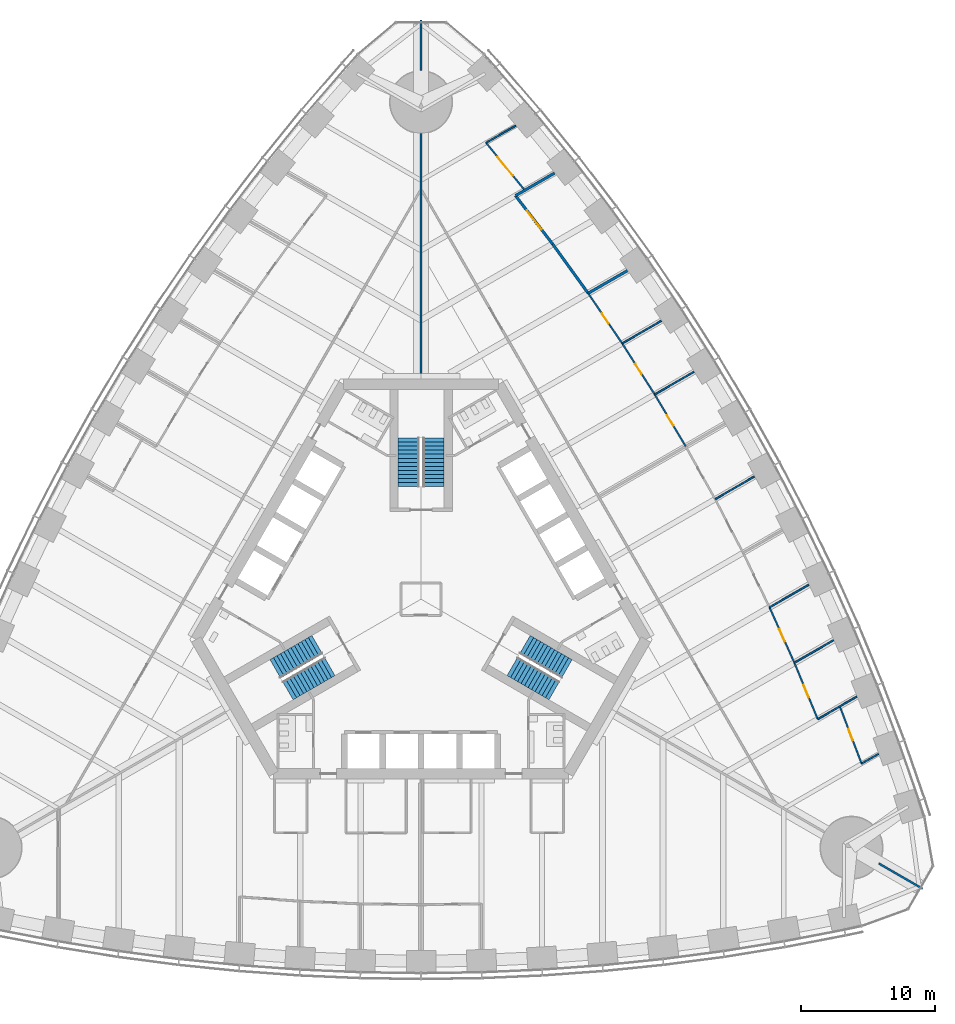
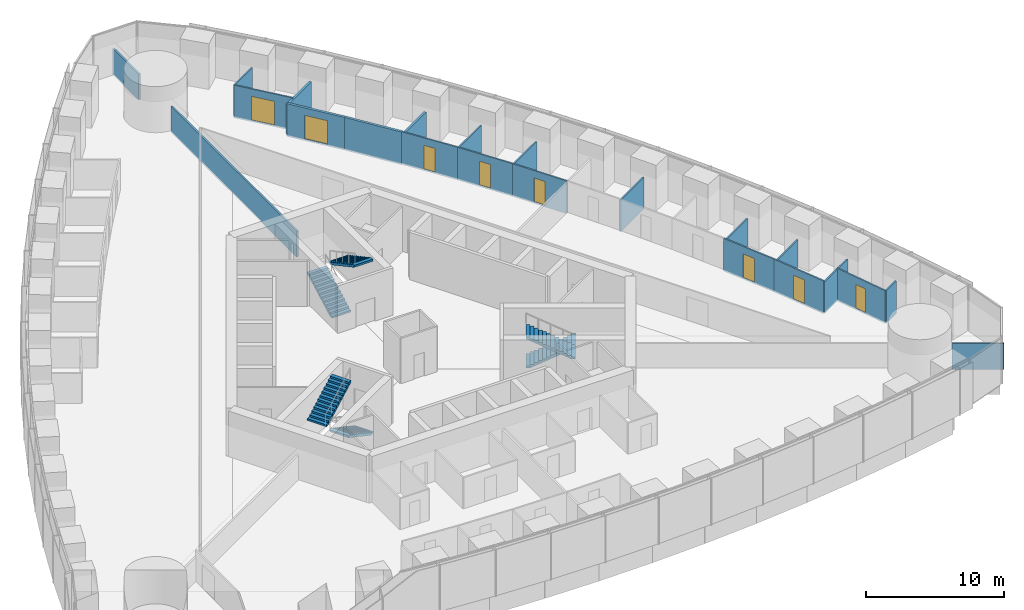
# One storey, part 13 of 18: 22 walls, 8 doors, 6 stair flights, 8 openings, 3 elements without a shape of their own.
"""IFC4 building model written with IfcOpenShell, lengths in metres."""

from ifc_helpers import new_model, si_unit, direction, frame, frame_2d, origin, place, context, subcontext, project, spatial, polyline, rectangle, outline, extrude, material, layer, layer_set, type_object, element, fill, aggregate, save


model = new_model("IFC4")

# Units and contexts
model_context = context("Model", 3, precision=1e-05, world=origin(), true_north=direction((0.0, 1.0)))
body_context = subcontext(model_context, "Body", "Model", "MODEL_VIEW")
ifc_project = project(units=[si_unit("LENGTHUNIT", "METRE"), si_unit("AREAUNIT", "SQUARE_METRE"), si_unit("VOLUMEUNIT", "CUBIC_METRE"), si_unit("PLANEANGLEUNIT", "RADIAN"), si_unit("MASSUNIT", "GRAM", prefix="KILO")], contexts=[model_context])

# Site, building, storey
site_placement = place(None, origin())
site = spatial("IfcSite", under=ifc_project, at=site_placement, CompositionType="ELEMENT")
building_placement = place(site_placement, origin())
building = spatial("IfcBuilding", under=site, at=building_placement, Name="Trefoil Bronze Tower", CompositionType="ELEMENT")
storey_placement = place(building_placement, frame((0.0, 0.0, 75.300048828125)))
storey = spatial("IfcBuildingStorey", under=building, at=storey_placement, Name="L17", CompositionType="ELEMENT", Elevation=75.300048828125)

# Wall
ifc_material_1 = material(Name="Gypsum board on steel studs", Category="steel")
ifc_layer_1 = layer(ifc_material_1, 0.199951171875)
ifc_layer_set_1 = layer_set([ifc_layer_1], Name="Acoustic partition 200")
wall_type_1 = type_object("IfcWallType", Name="Acoustic partition 200", PredefinedType="PARTITIONING", material=ifc_layer_set_1)
wall_1_placement = place(storey_placement, frame((12.441162109375, 22.771240234375, 0.0), z_axis=(0.0, 0.0, 1.0), x_axis=(-0.585376255171, 0.810761765183, 0.0)))
element("IfcWall", 1, at=wall_1_placement, inside=storey, type_object=wall_type_1, Name="Partition F2 L17", PredefinedType="PARTITIONING", context=body_context, shape_type="SweptSolid", body=[
    extrude(rectangle(XDim=4.5234375, YDim=0.199951171875, at=frame_2d((2.26171875, 0.0))), origin(), (0.0, 0.0, 1.0), 2.89990234375),
])

# Wall, opening, door
wall_2_placement = place(storey_placement, frame((9.793212890625, 26.438720703125, 0.0), z_axis=(0.0, 0.0, 1.0), x_axis=(-0.608784932975, 0.79333530451, 0.0)))
wall_2 = element("IfcWall", 2, at=wall_2_placement, inside=storey, type_object=wall_type_1, Name="Partition F2 L17", PredefinedType="PARTITIONING", context=body_context, shape_type="SweptSolid", body=[
    extrude(rectangle(XDim=4.538818359375, YDim=0.199951171875, at=frame_2d((2.26953125, 0.0))), origin(), (0.0, 0.0, 1.0), 2.89990234375),
])
opening_1_placement = place(wall_2_placement, frame((1.35009765625, 0.0, 0.14990234375)))
opening_1 = element("IfcOpeningElement", 3, at=opening_1_placement, cuts=wall_2, Name="Opening D10", PredefinedType="OPENING", context=body_context, shape_type="SweptSolid", body=[
    extrude(rectangle(XDim=1.800048828125, YDim=2.10009765625, at=frame_2d((0.89990234375, 1.050048828125))), frame((0.0, 0.10986328125, 0.0), z_axis=(0.0, -1.0, 0.0), x_axis=(1.0, 0.0, 0.0)), (0.0, 0.0, 1.0), 0.219970703125),
])
ifc_material_2 = material(Name="Timber door", Category="wood")
door_type_1 = type_object("IfcDoorType", Name="Double door 1800", OperationType="DOUBLE_DOOR_SINGLE_SWING", PredefinedType="DOOR", material=ifc_material_2)
door_1_placement = place(opening_1_placement, frame((1.800048828125, 0.0, 0.0), z_axis=(0.0, 0.0, 1.0), x_axis=(-1.0, 0.0, 0.0)))
door_1 = element("IfcDoor", 4, at=door_1_placement, inside=storey, type_object=door_type_1, Name="Boardroom door F2 L17", OperationType="DOUBLE_DOOR_SINGLE_SWING", OverallHeight=2.10009765625, OverallWidth=1.800048828125, PredefinedType="DOOR", context=body_context, shape_type="SweptSolid", body=[
    extrude(rectangle(XDim=1.800048828125, YDim=2.10009765625, at=frame_2d((0.89990234375, 1.050048828125))), frame((0.0, 0.02490234375, 0.0), z_axis=(0.0, -1.0, 0.0), x_axis=(1.0, 0.0, 0.0)), (0.0, 0.0, 1.0), 0.050048828125),
])
fill(opening_1, door_1)

# Walls
wall_3_placement = place(storey_placement, frame((12.441162109375, 22.771240234375, 0.0), z_axis=(0.0, 0.0, 1.0), x_axis=(0.865992196602, 0.500057512117, 0.0)))
element("IfcWall", 5, at=wall_3_placement, inside=storey, type_object=wall_type_1, Name="Partition F2 L17", PredefinedType="PARTITIONING", context=body_context, shape_type="SweptSolid", body=[
    extrude(rectangle(XDim=3.36376953125, YDim=0.199951171875, at=frame_2d((1.681884765625, 0.0))), origin(), (0.0, 0.0, 1.0), 2.599853515625),
])
wall_4_placement = place(storey_placement, frame((7.030029296875, 30.03955078125, 0.0), z_axis=(0.0, 0.0, 1.0), x_axis=(0.866038859646, 0.49997669304, 0.0)))
element("IfcWall", 6, at=wall_4_placement, inside=storey, type_object=wall_type_1, Name="Partition F2 L17", PredefinedType="PARTITIONING", context=body_context, shape_type="SweptSolid", body=[
    extrude(rectangle(XDim=3.352783203125, YDim=0.199951171875, at=frame_2d((1.67626953125, 0.0))), origin(), (0.0, 0.0, 1.0), 2.800048828125),
])

# Wall, opening, door
ifc_material_3 = material(Name="Glazed partition", Category="glass")
ifc_layer_2 = layer(ifc_material_3, 0.1201171875)
ifc_layer_set_2 = layer_set([ifc_layer_2], Name="Glazed partition 120")
wall_type_2 = type_object("IfcWallType", Name="Glazed partition 120", PredefinedType="PARTITIONING", material=ifc_layer_set_2)
wall_5_placement = place(storey_placement, frame((19.700927734375, 11.374267578125, 0.0), z_axis=(0.0, 0.0, 1.0), x_axis=(-0.512483962191, 0.858696796604, 0.0)))
wall_5 = element("IfcWall", 7, at=wall_5_placement, inside=storey, type_object=wall_type_2, Name="Partition F2 L17", PredefinedType="PARTITIONING", context=body_context, shape_type="SweptSolid", body=[
    extrude(rectangle(XDim=4.50048828125, YDim=0.1201171875, at=frame_2d((2.250244140625, 0.0))), origin(), (0.0, 0.0, 1.0), 2.89990234375),
])
opening_2_placement = place(wall_5_placement, frame((1.800048828125, 0.0, 0.14990234375)))
opening_2 = element("IfcOpeningElement", 8, at=opening_2_placement, cuts=wall_5, Name="Opening D8", PredefinedType="OPENING", context=body_context, shape_type="SweptSolid", body=[
    extrude(rectangle(XDim=0.89990234375, YDim=2.10009765625, at=frame_2d((0.449951171875, 1.050048828125))), frame((0.0, 0.070068359375, 0.0), z_axis=(0.0, -1.0, 0.0), x_axis=(1.0, 0.0, 0.0)), (0.0, 0.0, 1.0), 0.14013671875),
])
ifc_material_4 = material(Name="Timber door", Category="wood")
door_type_2 = type_object("IfcDoorType", Name="Office door 900", OperationType="SINGLE_SWING_LEFT", PredefinedType="DOOR", material=ifc_material_4)
door_2_placement = place(opening_2_placement, frame((0.89990234375, 0.0, 0.0), z_axis=(0.0, 0.0, 1.0), x_axis=(-1.0, 0.0, 0.0)))
door_2 = element("IfcDoor", 9, at=door_2_placement, inside=storey, type_object=door_type_2, Name="Office door F2 L17", OperationType="SINGLE_SWING_RIGHT", OverallHeight=2.10009765625, OverallWidth=0.89990234375, PredefinedType="DOOR", context=body_context, shape_type="SweptSolid", body=[
    extrude(rectangle(XDim=0.89990234375, YDim=2.10009765625, at=frame_2d((0.449951171875, 1.050048828125))), frame((0.0, 0.02490234375, 0.0), z_axis=(0.0, -1.0, 0.0), x_axis=(1.0, 0.0, 0.0)), (0.0, 0.0, 1.0), 0.050048828125),
])
fill(opening_2, door_2)

wall_6_placement = place(storey_placement, frame((7.722900390625, 30.439453125, 0.0), z_axis=(0.0, 0.0, 1.0), x_axis=(-0.631807650035, 0.775125211406, 0.0)))
wall_6 = element("IfcWall", 10, at=wall_6_placement, inside=storey, type_object=wall_type_2, Name="Partition F2 L17", PredefinedType="PARTITIONING", context=body_context, shape_type="SweptSolid", body=[
    extrude(rectangle(XDim=4.55859375, YDim=0.1201171875, at=frame_2d((2.279296875, 0.0))), origin(), (0.0, 0.0, 1.0), 2.89990234375),
])
opening_3_placement = place(wall_6_placement, frame((1.39990234375, 0.0, 0.14990234375)))
opening_3 = element("IfcOpeningElement", 11, at=opening_3_placement, cuts=wall_6, Name="Opening D10", PredefinedType="OPENING", context=body_context, shape_type="SweptSolid", body=[
    extrude(rectangle(XDim=1.800048828125, YDim=2.10009765625, at=frame_2d((0.89990234375, 1.050048828125))), frame((0.0, 0.070068359375, 0.0), z_axis=(0.0, -1.0, 0.0), x_axis=(1.0, 0.0, 0.0)), (0.0, 0.0, 1.0), 0.14013671875),
])
door_3_placement = place(opening_3_placement, origin())
door_3 = element("IfcDoor", 12, at=door_3_placement, inside=storey, type_object=door_type_1, Name="Reception door F2 L17", OperationType="DOUBLE_DOOR_SINGLE_SWING", OverallHeight=2.10009765625, OverallWidth=1.800048828125, PredefinedType="DOOR", context=body_context, shape_type="SweptSolid", body=[
    extrude(rectangle(XDim=1.800048828125, YDim=2.10009765625, at=frame_2d((0.89990234375, 1.050048828125))), frame((0.0, 0.02490234375, 0.0), z_axis=(0.0, -1.0, 0.0), x_axis=(1.0, 0.0, 0.0)), (0.0, 0.0, 1.0), 0.050048828125),
])
fill(opening_3, door_3)

wall_7_placement = place(storey_placement, frame((17.39453125, 15.23876953125, 0.0), z_axis=(0.0, 0.0, 1.0), x_axis=(-0.537243691336, 0.843427066272, 0.0)))
wall_7 = element("IfcWall", 13, at=wall_7_placement, inside=storey, type_object=wall_type_2, Name="Partition F2 L17", PredefinedType="PARTITIONING", context=body_context, shape_type="SweptSolid", body=[
    extrude(rectangle(XDim=4.50439453125, YDim=0.1201171875, at=frame_2d((2.252197265625, 0.0))), origin(), (0.0, 0.0, 1.0), 2.89990234375),
])
opening_4_placement = place(wall_7_placement, frame((1.800048828125, 0.0, 0.14990234375)))
opening_4 = element("IfcOpeningElement", 14, at=opening_4_placement, cuts=wall_7, Name="Opening D8", PredefinedType="OPENING", context=body_context, shape_type="SweptSolid", body=[
    extrude(rectangle(XDim=0.89990234375, YDim=2.10009765625, at=frame_2d((0.449951171875, 1.050048828125))), frame((0.0, 0.070068359375, 0.0), z_axis=(0.0, -1.0, 0.0), x_axis=(1.0, 0.0, 0.0)), (0.0, 0.0, 1.0), 0.14013671875),
])
door_4_placement = place(opening_4_placement, frame((0.89990234375, 0.0, 0.0), z_axis=(0.0, 0.0, 1.0), x_axis=(-1.0, 0.0, 0.0)))
door_4 = element("IfcDoor", 15, at=door_4_placement, inside=storey, type_object=door_type_2, Name="Office door F2 L17", OperationType="SINGLE_SWING_RIGHT", OverallHeight=2.10009765625, OverallWidth=0.89990234375, PredefinedType="DOOR", context=body_context, shape_type="SweptSolid", body=[
    extrude(rectangle(XDim=0.89990234375, YDim=2.10009765625, at=frame_2d((0.449951171875, 1.050048828125))), frame((0.0, 0.02490234375, 0.0), z_axis=(0.0, -1.0, 0.0), x_axis=(1.0, 0.0, 0.0)), (0.0, 0.0, 1.0), 0.050048828125),
])
fill(opening_4, door_4)

wall_8_placement = place(storey_placement, frame((14.974609375, 19.037841796875, 0.0), z_axis=(0.0, 0.0, 1.0), x_axis=(-0.561512004239, 0.827468591002, 0.0)))
wall_8 = element("IfcWall", 16, at=wall_8_placement, inside=storey, type_object=wall_type_2, Name="Partition F2 L17", PredefinedType="PARTITIONING", context=body_context, shape_type="SweptSolid", body=[
    extrude(rectangle(XDim=4.51171875, YDim=0.1201171875, at=frame_2d((2.255859375, 0.0))), origin(), (0.0, 0.0, 1.0), 2.89990234375),
])
opening_5_placement = place(wall_8_placement, frame((1.800048828125, 0.0, 0.14990234375)))
opening_5 = element("IfcOpeningElement", 17, at=opening_5_placement, cuts=wall_8, Name="Opening D8", PredefinedType="OPENING", context=body_context, shape_type="SweptSolid", body=[
    extrude(rectangle(XDim=0.89990234375, YDim=2.10009765625, at=frame_2d((0.449951171875, 1.050048828125))), frame((0.0, 0.070068359375, 0.0), z_axis=(0.0, -1.0, 0.0), x_axis=(1.0, 0.0, 0.0)), (0.0, 0.0, 1.0), 0.14013671875),
])
door_5_placement = place(opening_5_placement, frame((0.89990234375, 0.0, 0.0), z_axis=(0.0, 0.0, 1.0), x_axis=(-1.0, 0.0, 0.0)))
door_5 = element("IfcDoor", 18, at=door_5_placement, inside=storey, type_object=door_type_2, Name="Office door F2 L17", OperationType="SINGLE_SWING_RIGHT", OverallHeight=2.10009765625, OverallWidth=0.89990234375, PredefinedType="DOOR", context=body_context, shape_type="SweptSolid", body=[
    extrude(rectangle(XDim=0.89990234375, YDim=2.10009765625, at=frame_2d((0.449951171875, 1.050048828125))), frame((0.0, 0.02490234375, 0.0), z_axis=(0.0, -1.0, 0.0), x_axis=(1.0, 0.0, 0.0)), (0.0, 0.0, 1.0), 0.050048828125),
])
fill(opening_5, door_5)

wall_9_placement = place(storey_placement, frame((27.793212890625, -4.738037109375, 0.0), z_axis=(0.0, 0.0, 1.0), x_axis=(-0.409451055745, 0.912332084796, 0.0)))
wall_9 = element("IfcWall", 19, at=wall_9_placement, inside=storey, type_object=wall_type_2, Name="Partition F2 L17", PredefinedType="PARTITIONING", context=body_context, shape_type="SweptSolid", body=[
    extrude(rectangle(XDim=4.523193359375, YDim=0.1201171875, at=frame_2d((2.26171875, 0.0))), origin(), (0.0, 0.0, 1.0), 2.89990234375),
])
opening_6_placement = place(wall_9_placement, frame((1.75, 0.0, 0.14990234375)))
opening_6 = element("IfcOpeningElement", 20, at=opening_6_placement, cuts=wall_9, Name="Opening D9", PredefinedType="OPENING", context=body_context, shape_type="SweptSolid", body=[
    extrude(rectangle(XDim=1.0, YDim=2.10009765625, at=frame_2d((0.5, 1.050048828125))), frame((0.0, 0.070068359375, 0.0), z_axis=(0.0, -1.0, 0.0), x_axis=(1.0, 0.0, 0.0)), (0.0, 0.0, 1.0), 0.14013671875),
])
ifc_material_5 = material(Name="Glazed timber door", Category="wood")
door_type_3 = type_object("IfcDoorType", Name="Meeting room door 1000", OperationType="SINGLE_SWING_LEFT", PredefinedType="DOOR", material=ifc_material_5)
door_6_placement = place(opening_6_placement, frame((1.0, 0.0, 0.0), z_axis=(0.0, 0.0, 1.0), x_axis=(-1.0, 0.0, 0.0)))
door_6 = element("IfcDoor", 21, at=door_6_placement, inside=storey, type_object=door_type_3, Name="Meeting room door F2 L17", OperationType="SINGLE_SWING_RIGHT", OverallHeight=2.10009765625, OverallWidth=1.0, PredefinedType="DOOR", context=body_context, shape_type="SweptSolid", body=[
    extrude(rectangle(XDim=1.0, YDim=2.10009765625, at=frame_2d((0.5, 1.050048828125))), frame((0.0, 0.02490234375, 0.0), z_axis=(0.0, -1.0, 0.0), x_axis=(1.0, 0.0, 0.0)), (0.0, 0.0, 1.0), 0.050048828125),
])
fill(opening_6, door_6)

wall_10_placement = place(storey_placement, frame((29.530029296875, -8.931640625, 0.0), z_axis=(0.0, 0.0, 1.0), x_axis=(-0.382639984525, 0.923897527999, 0.0)))
wall_10 = element("IfcWall", 22, at=wall_10_placement, inside=storey, type_object=wall_type_2, Name="Partition F2 L17", PredefinedType="PARTITIONING", context=body_context, shape_type="SweptSolid", body=[
    extrude(rectangle(XDim=4.5390625, YDim=0.1201171875, at=frame_2d((2.26953125, 0.0))), origin(), (0.0, 0.0, 1.0), 2.89990234375),
])
opening_7_placement = place(wall_10_placement, frame((1.75, 0.0, 0.14990234375)))
opening_7 = element("IfcOpeningElement", 23, at=opening_7_placement, cuts=wall_10, Name="Opening D9", PredefinedType="OPENING", context=body_context, shape_type="SweptSolid", body=[
    extrude(rectangle(XDim=1.0, YDim=2.10009765625, at=frame_2d((0.5, 1.050048828125))), frame((0.0, 0.070068359375, 0.0), z_axis=(0.0, -1.0, 0.0), x_axis=(1.0, 0.0, 0.0)), (0.0, 0.0, 1.0), 0.14013671875),
])
door_7_placement = place(opening_7_placement, frame((1.0, 0.0, 0.0), z_axis=(0.0, 0.0, 1.0), x_axis=(-1.0, 0.0, 0.0)))
door_7 = element("IfcDoor", 24, at=door_7_placement, inside=storey, type_object=door_type_3, Name="Meeting room door F2 L17", OperationType="SINGLE_SWING_RIGHT", OverallHeight=2.10009765625, OverallWidth=1.0, PredefinedType="DOOR", context=body_context, shape_type="SweptSolid", body=[
    extrude(rectangle(XDim=1.0, YDim=2.10009765625, at=frame_2d((0.5, 1.050048828125))), frame((0.0, 0.02490234375, 0.0), z_axis=(0.0, -1.0, 0.0), x_axis=(1.0, 0.0, 0.0)), (0.0, 0.0, 1.0), 0.050048828125),
])
fill(opening_7, door_7)

wall_11_placement = place(storey_placement, frame((32.79541015625, -12.242431640625, 0.0), z_axis=(0.0, 0.0, 1.0), x_axis=(-0.355369393324, 0.934725946087, 0.0)))
wall_11 = element("IfcWall", 25, at=wall_11_placement, inside=storey, type_object=wall_type_2, Name="Partition F2 L17", PredefinedType="PARTITIONING", context=body_context, shape_type="SweptSolid", body=[
    extrude(rectangle(XDim=4.558349609375, YDim=0.1201171875, at=frame_2d((2.279296875, 0.0))), origin(), (0.0, 0.0, 1.0), 2.89990234375),
])
opening_8_placement = place(wall_11_placement, frame((1.85009765625, 0.0, 0.14990234375)))
opening_8 = element("IfcOpeningElement", 26, at=opening_8_placement, cuts=wall_11, Name="Opening D8", PredefinedType="OPENING", context=body_context, shape_type="SweptSolid", body=[
    extrude(rectangle(XDim=0.89990234375, YDim=2.10009765625, at=frame_2d((0.449951171875, 1.050048828125))), frame((0.0, 0.070068359375, 0.0), z_axis=(0.0, -1.0, 0.0), x_axis=(1.0, 0.0, 0.0)), (0.0, 0.0, 1.0), 0.14013671875),
])
door_8_placement = place(opening_8_placement, frame((0.89990234375, 0.0, 0.0), z_axis=(0.0, 0.0, 1.0), x_axis=(-1.0, 0.0, 0.0)))
door_8 = element("IfcDoor", 27, at=door_8_placement, inside=storey, type_object=door_type_2, Name="Comms room door F2 L17", OperationType="SINGLE_SWING_LEFT", OverallHeight=2.10009765625, OverallWidth=0.89990234375, PredefinedType="DOOR", context=body_context, shape_type="SweptSolid", body=[
    extrude(rectangle(XDim=0.89990234375, YDim=2.10009765625, at=frame_2d((0.449951171875, 1.050048828125))), frame((0.0, 0.02490234375, 0.0), z_axis=(0.0, -1.0, 0.0), x_axis=(1.0, 0.0, 0.0)), (0.0, 0.0, 1.0), 0.050048828125),
])
fill(opening_8, door_8)

# Walls
wall_12_placement = place(storey_placement, frame((4.8427734375, 33.972900390625, 0.0), z_axis=(0.0, 0.0, 1.0), x_axis=(0.866014639343, 0.500018644096, 0.0)))
element("IfcWall", 28, at=wall_12_placement, inside=storey, type_object=wall_type_2, Name="Partition F2 L17", PredefinedType="PARTITIONING", context=body_context, shape_type="SweptSolid", body=[
    extrude(rectangle(XDim=2.544921875, YDim=0.1201171875, at=frame_2d((1.2724609375, 0.0))), origin(), (0.0, 0.0, 1.0), 2.89990234375),
])
wall_13_placement = place(storey_placement, frame((17.39453125, 15.23876953125, 0.0), z_axis=(0.0, 0.0, 1.0), x_axis=(0.865991297194, 0.500059069696, 0.0)))
element("IfcWall", 29, at=wall_13_placement, inside=storey, type_object=wall_type_2, Name="Partition F2 L17", PredefinedType="PARTITIONING", context=body_context, shape_type="SweptSolid", body=[
    extrude(rectangle(XDim=3.369140625, YDim=0.1201171875, at=frame_2d((1.6845703125, 0.0))), origin(), (0.0, 0.0, 1.0), 2.800048828125),
])
wall_14_placement = place(storey_placement, frame((14.974609375, 19.037841796875, 0.0), z_axis=(0.0, 0.0, 1.0), x_axis=(0.866039498442, 0.499975586543, 0.0)))
element("IfcWall", 30, at=wall_14_placement, inside=storey, type_object=wall_type_2, Name="Partition F2 L17", PredefinedType="PARTITIONING", context=body_context, shape_type="SweptSolid", body=[
    extrude(rectangle(XDim=3.367431640625, YDim=0.1201171875, at=frame_2d((1.68359375, 0.0))), origin(), (0.0, 0.0, 1.0), 2.800048828125),
])
wall_15_placement = place(storey_placement, frame((25.941162109375, -0.611328125, 0.0), z_axis=(0.0, 0.0, 1.0), x_axis=(0.866023625329, 0.500003080363, 0.0)))
element("IfcWall", 31, at=wall_15_placement, inside=storey, type_object=wall_type_2, Name="Partition F2 L17", PredefinedType="PARTITIONING", context=body_context, shape_type="SweptSolid", body=[
    extrude(rectangle(XDim=3.36376953125, YDim=0.1201171875, at=frame_2d((1.681884765625, 0.0))), origin(), (0.0, 0.0, 1.0), 2.599853515625),
])
wall_16_placement = place(storey_placement, frame((27.793212890625, -4.738037109375, 0.0), z_axis=(0.0, 0.0, 1.0), x_axis=(0.866029446706, 0.499992997389, 0.0)))
element("IfcWall", 32, at=wall_16_placement, inside=storey, type_object=wall_type_2, Name="Partition F2 L17", PredefinedType="PARTITIONING", context=body_context, shape_type="SweptSolid", body=[
    extrude(rectangle(XDim=3.35888671875, YDim=0.1201171875, at=frame_2d((1.679443359375, 0.0))), origin(), (0.0, 0.0, 1.0), 2.599853515625),
])
wall_17_placement = place(storey_placement, frame((29.530029296875, -8.931640625, 0.0), z_axis=(0.0, 0.0, 1.0), x_axis=(0.866038859646, 0.49997669304, 0.0)))
element("IfcWall", 33, at=wall_17_placement, inside=storey, type_object=wall_type_2, Name="Partition F2 L17", PredefinedType="PARTITIONING", context=body_context, shape_type="SweptSolid", body=[
    extrude(rectangle(XDim=3.352783203125, YDim=0.1201171875, at=frame_2d((1.67626953125, 0.0))), origin(), (0.0, 0.0, 1.0), 2.800048828125),
])
wall_18_placement = place(storey_placement, frame((32.79541015625, -12.242431640625, 0.0), z_axis=(0.0, 0.0, 1.0), x_axis=(0.866019559589, 0.500010122307, 0.0)))
element("IfcWall", 34, at=wall_18_placement, inside=storey, type_object=wall_type_2, Name="Partition F2 L17", PredefinedType="PARTITIONING", context=body_context, shape_type="SweptSolid", body=[
    extrude(rectangle(XDim=1.44482421875, YDim=0.1201171875, at=frame_2d((0.722412109375, 0.0))), origin(), (0.0, 0.0, 1.0), 2.89990234375),
])
wall_19_placement = place(storey_placement, frame((21.89453125, 7.444580078125, 0.0), z_axis=(0.0, 0.0, 1.0), x_axis=(0.866022675988, 0.500004724652, 0.0)))
element("IfcWall", 35, at=wall_19_placement, inside=storey, type_object=wall_type_2, Name="Partition F2 L17", PredefinedType="PARTITIONING", context=body_context, shape_type="SweptSolid", body=[
    extrude(rectangle(XDim=3.369140625, YDim=0.1201171875, at=frame_2d((1.6845703125, 0.0))), origin(), (0.0, 0.0, 1.0), 2.800048828125),
])
ifc_material_6 = material(Name="Gypsum board on steel studs", Category="steel")
ifc_layer_3 = layer(ifc_material_6, 0.14990234375)
ifc_layer_set_3 = layer_set([ifc_layer_3], Name="Party wall 150")
wall_type_3 = type_object("IfcWallType", Name="Party wall 150", PredefinedType="PARTITIONING", material=ifc_layer_set_3)
wall_20_placement = place(storey_placement, frame((34.078125, -19.675048828125, 0.0), z_axis=(0.0, 0.0, 1.0), x_axis=(0.866019247219, -0.500010663332, 0.0)))
element("IfcWall", 36, at=wall_20_placement, inside=storey, type_object=wall_type_3, Name="Party wall K1 L17", PredefinedType="PARTITIONING", context=body_context, shape_type="SweptSolid", body=[
    extrude(rectangle(XDim=3.76416015625, YDim=0.14990234375, at=frame_2d((1.882080078125, 0.0))), origin(), (0.0, 0.0, 1.0), 2.300048828125),
])
wall_21_placement = place(storey_placement, frame((0.0, 16.39990234375, 0.0), z_axis=(0.0, 0.0, 1.0), x_axis=(0.0, 1.0, 0.0)))
element("IfcWall", 37, at=wall_21_placement, inside=storey, type_object=wall_type_3, Name="Party wall K2 L17", PredefinedType="PARTITIONING", context=body_context, shape_type="SweptSolid", body=[
    extrude(rectangle(XDim=18.25, YDim=0.14990234375, at=frame_2d((9.125, 0.0))), origin(), (0.0, 0.0, 1.0), 2.300048828125),
])
wall_22_placement = place(storey_placement, frame((0.0, 39.35009765625, 0.0), z_axis=(0.0, 0.0, 1.0), x_axis=(0.0, 1.0, 0.0)))
element("IfcWall", 38, at=wall_22_placement, inside=storey, type_object=wall_type_3, Name="Party wall K2 L17", PredefinedType="PARTITIONING", context=body_context, shape_type="SweptSolid", body=[
    extrude(rectangle(XDim=3.763916015625, YDim=0.14990234375, at=frame_2d((1.8818359375, 0.0))), origin(), (0.0, 0.0, 1.0), 2.300048828125),
])

# Stair, stair flights
ifc_material_7 = material(Name="Precast concrete B80", Category="concrete")
stair_type = type_object("IfcStairType", Name="Exit stair 26 risers", PredefinedType="HALF_TURN_STAIR", material=ifc_material_7)
stair_1_placement = place(storey_placement, origin())
stair_1 = element("IfcStair", 39, at=stair_1_placement, inside=storey, type_object=stair_type, Name="Stair ST1 L17", PredefinedType="HALF_TURN_STAIR")
ifc_material_8 = material(Name="Precast concrete B80", Category="concrete")
stair_flight_type = type_object("IfcStairFlightType", Name="Stair flight 1600", PredefinedType="STRAIGHT", material=ifc_material_8)
stair_flight_1_placement = place(storey_placement, frame((7.728515625, -3.39404296875, 0.0), z_axis=(0.0, 0.0, 1.0), x_axis=(0.866025403784, -0.5, 0.0)))
stair_flight_1 = element("IfcStairFlight", 40, at=stair_flight_1_placement, type_object=stair_flight_type, Name="ST1 flight 1", NumberOfRisers=13, NumberOfTreads=12, PredefinedType="STRAIGHT", RiserHeight=0.161538462, TreadLength=0.3, context=body_context, shape_type="SweptSolid", body=[
    extrude(outline(polyline([(0.0, 0.0), (0.0, 0.16162109375), (0.300048828125, 0.16162109375), (0.300048828125, 0.322998046875), (0.60009765625, 0.322998046875), (0.60009765625, 0.484619140625), (0.89990234375, 0.484619140625), (0.89990234375, 0.646240234375), (1.199951171875, 0.646240234375), (1.199951171875, 0.8076171875), (1.5, 0.8076171875), (1.5, 0.96923828125), (1.800048828125, 0.96923828125), (1.800048828125, 1.130859375), (2.10009765625, 1.130859375), (2.10009765625, 1.292236328125), (2.39990234375, 1.292236328125), (2.39990234375, 1.453857421875), (2.699951171875, 1.453857421875), (2.699951171875, 1.615478515625), (3.0, 1.615478515625), (3.0, 1.77685546875), (3.300048828125, 1.77685546875), (3.300048828125, 1.9384765625), (3.60009765625, 1.9384765625), (3.60009765625, 2.10009765625), (3.60009765625, 1.768310546875), (0.316162109375, 0.0), (0.0, 0.0)])), frame((0.0, 0.800048828125, 0.0), z_axis=(0.0, -1.0, 0.0), x_axis=(1.0, 0.0, 0.0)), (0.0, 0.0, 1.0), 1.60009765625),
])
stair_flight_2_placement = place(storey_placement, frame((9.921142578125, -6.796142578125, 2.099853515625), z_axis=(0.0, 0.0, 1.0), x_axis=(-0.866025403784, 0.5, 0.0)))
stair_flight_2 = element("IfcStairFlight", 41, at=stair_flight_2_placement, type_object=stair_flight_type, Name="ST1 flight 2", NumberOfRisers=13, NumberOfTreads=12, PredefinedType="STRAIGHT", RiserHeight=0.161538462, TreadLength=0.3, context=body_context, shape_type="SweptSolid", body=[
    extrude(outline(polyline([(0.0, 0.0), (0.0, 0.16162109375), (0.300048828125, 0.16162109375), (0.300048828125, 0.322998046875), (0.60009765625, 0.322998046875), (0.60009765625, 0.484619140625), (0.89990234375, 0.484619140625), (0.89990234375, 0.646240234375), (1.199951171875, 0.646240234375), (1.199951171875, 0.8076171875), (1.5, 0.8076171875), (1.5, 0.96923828125), (1.800048828125, 0.96923828125), (1.800048828125, 1.130859375), (2.10009765625, 1.130859375), (2.10009765625, 1.292236328125), (2.39990234375, 1.292236328125), (2.39990234375, 1.453857421875), (2.699951171875, 1.453857421875), (2.699951171875, 1.615478515625), (3.0, 1.615478515625), (3.0, 1.77685546875), (3.300048828125, 1.77685546875), (3.300048828125, 1.9384765625), (3.60009765625, 1.9384765625), (3.60009765625, 2.10009765625), (3.60009765625, 1.768310546875), (0.316162109375, 0.0), (0.0, 0.0)])), frame((0.0, 0.800048828125, 0.0), z_axis=(0.0, -1.0, 0.0), x_axis=(1.0, 0.0, 0.0)), (0.0, 0.0, 1.0), 1.60009765625),
])
aggregate(stair_1, [stair_flight_1, stair_flight_2])

stair_2_placement = place(storey_placement, origin())
stair_2 = element("IfcStair", 42, at=stair_2_placement, inside=storey, type_object=stair_type, Name="Stair ST2 L17", PredefinedType="HALF_TURN_STAIR")
stair_flight_3_placement = place(storey_placement, frame((-0.925048828125, 8.389892578125, 0.0), z_axis=(0.0, 0.0, 1.0), x_axis=(0.0, 1.0, 0.0)))
stair_flight_3 = element("IfcStairFlight", 43, at=stair_flight_3_placement, type_object=stair_flight_type, Name="ST2 flight 1", NumberOfRisers=13, NumberOfTreads=12, PredefinedType="STRAIGHT", RiserHeight=0.161538462, TreadLength=0.3, context=body_context, shape_type="SweptSolid", body=[
    extrude(outline(polyline([(0.0, 0.0), (0.0, 0.16162109375), (0.300048828125, 0.16162109375), (0.300048828125, 0.322998046875), (0.60009765625, 0.322998046875), (0.60009765625, 0.484619140625), (0.89990234375, 0.484619140625), (0.89990234375, 0.646240234375), (1.199951171875, 0.646240234375), (1.199951171875, 0.8076171875), (1.5, 0.8076171875), (1.5, 0.96923828125), (1.800048828125, 0.96923828125), (1.800048828125, 1.130859375), (2.10009765625, 1.130859375), (2.10009765625, 1.292236328125), (2.39990234375, 1.292236328125), (2.39990234375, 1.453857421875), (2.699951171875, 1.453857421875), (2.699951171875, 1.615478515625), (3.0, 1.615478515625), (3.0, 1.77685546875), (3.300048828125, 1.77685546875), (3.300048828125, 1.9384765625), (3.60009765625, 1.9384765625), (3.60009765625, 2.10009765625), (3.60009765625, 1.768310546875), (0.316162109375, 0.0), (0.0, 0.0)])), frame((0.0, 0.800048828125, 0.0), z_axis=(0.0, -1.0, 0.0), x_axis=(1.0, 0.0, 0.0)), (0.0, 0.0, 1.0), 1.60009765625),
])
stair_flight_4_placement = place(storey_placement, frame((0.925048828125, 11.989990234375, 2.099853515625), z_axis=(0.0, 0.0, 1.0), x_axis=(0.0, -1.0, 0.0)))
stair_flight_4 = element("IfcStairFlight", 44, at=stair_flight_4_placement, type_object=stair_flight_type, Name="ST2 flight 2", NumberOfRisers=13, NumberOfTreads=12, PredefinedType="STRAIGHT", RiserHeight=0.161538462, TreadLength=0.3, context=body_context, shape_type="SweptSolid", body=[
    extrude(outline(polyline([(0.0, 0.0), (0.0, 0.16162109375), (0.300048828125, 0.16162109375), (0.300048828125, 0.322998046875), (0.60009765625, 0.322998046875), (0.60009765625, 0.484619140625), (0.89990234375, 0.484619140625), (0.89990234375, 0.646240234375), (1.199951171875, 0.646240234375), (1.199951171875, 0.8076171875), (1.5, 0.8076171875), (1.5, 0.96923828125), (1.800048828125, 0.96923828125), (1.800048828125, 1.130859375), (2.10009765625, 1.130859375), (2.10009765625, 1.292236328125), (2.39990234375, 1.292236328125), (2.39990234375, 1.453857421875), (2.699951171875, 1.453857421875), (2.699951171875, 1.615478515625), (3.0, 1.615478515625), (3.0, 1.77685546875), (3.300048828125, 1.77685546875), (3.300048828125, 1.9384765625), (3.60009765625, 1.9384765625), (3.60009765625, 2.10009765625), (3.60009765625, 1.768310546875), (0.316162109375, 0.0), (0.0, 0.0)])), frame((0.0, 0.800048828125, 0.0), z_axis=(0.0, -1.0, 0.0), x_axis=(1.0, 0.0, 0.0)), (0.0, 0.0, 1.0), 1.60009765625),
])
aggregate(stair_2, [stair_flight_3, stair_flight_4])

stair_3_placement = place(storey_placement, origin())
stair_3 = element("IfcStair", 45, at=stair_3_placement, inside=storey, type_object=stair_type, Name="Stair ST3 L17", PredefinedType="HALF_TURN_STAIR")
stair_flight_5_placement = place(storey_placement, frame((-6.803466796875, -4.99609375, 0.0), z_axis=(0.0, 0.0, 1.0), x_axis=(-0.866025403784, -0.5, 0.0)))
stair_flight_5 = element("IfcStairFlight", 46, at=stair_flight_5_placement, type_object=stair_flight_type, Name="ST3 flight 1", NumberOfRisers=13, NumberOfTreads=12, PredefinedType="STRAIGHT", RiserHeight=0.161538462, TreadLength=0.3, context=body_context, shape_type="SweptSolid", body=[
    extrude(outline(polyline([(0.0, 0.0), (0.0, 0.16162109375), (0.300048828125, 0.16162109375), (0.300048828125, 0.322998046875), (0.60009765625, 0.322998046875), (0.60009765625, 0.484619140625), (0.89990234375, 0.484619140625), (0.89990234375, 0.646240234375), (1.199951171875, 0.646240234375), (1.199951171875, 0.8076171875), (1.5, 0.8076171875), (1.5, 0.96923828125), (1.800048828125, 0.96923828125), (1.800048828125, 1.130859375), (2.10009765625, 1.130859375), (2.10009765625, 1.292236328125), (2.39990234375, 1.292236328125), (2.39990234375, 1.453857421875), (2.699951171875, 1.453857421875), (2.699951171875, 1.615478515625), (3.0, 1.615478515625), (3.0, 1.77685546875), (3.300048828125, 1.77685546875), (3.300048828125, 1.9384765625), (3.60009765625, 1.9384765625), (3.60009765625, 2.10009765625), (3.60009765625, 1.768310546875), (0.316162109375, 0.0), (0.0, 0.0)])), frame((0.0, 0.800048828125, 0.0), z_axis=(0.0, -1.0, 0.0), x_axis=(1.0, 0.0, 0.0)), (0.0, 0.0, 1.0), 1.60009765625),
])
stair_flight_6_placement = place(storey_placement, frame((-10.84619140625, -5.19384765625, 2.099853515625), z_axis=(0.0, 0.0, 1.0), x_axis=(0.866025403784, 0.5, 0.0)))
stair_flight_6 = element("IfcStairFlight", 47, at=stair_flight_6_placement, type_object=stair_flight_type, Name="ST3 flight 2", NumberOfRisers=13, NumberOfTreads=12, PredefinedType="STRAIGHT", RiserHeight=0.161538462, TreadLength=0.3, context=body_context, shape_type="SweptSolid", body=[
    extrude(outline(polyline([(0.0, 0.0), (0.0, 0.16162109375), (0.300048828125, 0.16162109375), (0.300048828125, 0.322998046875), (0.60009765625, 0.322998046875), (0.60009765625, 0.484619140625), (0.89990234375, 0.484619140625), (0.89990234375, 0.646240234375), (1.199951171875, 0.646240234375), (1.199951171875, 0.8076171875), (1.5, 0.8076171875), (1.5, 0.96923828125), (1.800048828125, 0.96923828125), (1.800048828125, 1.130859375), (2.10009765625, 1.130859375), (2.10009765625, 1.292236328125), (2.39990234375, 1.292236328125), (2.39990234375, 1.453857421875), (2.699951171875, 1.453857421875), (2.699951171875, 1.615478515625), (3.0, 1.615478515625), (3.0, 1.77685546875), (3.300048828125, 1.77685546875), (3.300048828125, 1.9384765625), (3.60009765625, 1.9384765625), (3.60009765625, 2.10009765625), (3.60009765625, 1.768310546875), (0.316162109375, 0.0), (0.0, 0.0)])), frame((0.0, 0.800048828125, 0.0), z_axis=(0.0, -1.0, 0.0), x_axis=(1.0, 0.0, 0.0)), (0.0, 0.0, 1.0), 1.60009765625),
])
aggregate(stair_3, [stair_flight_5, stair_flight_6])

save(model, "model.ifc")
